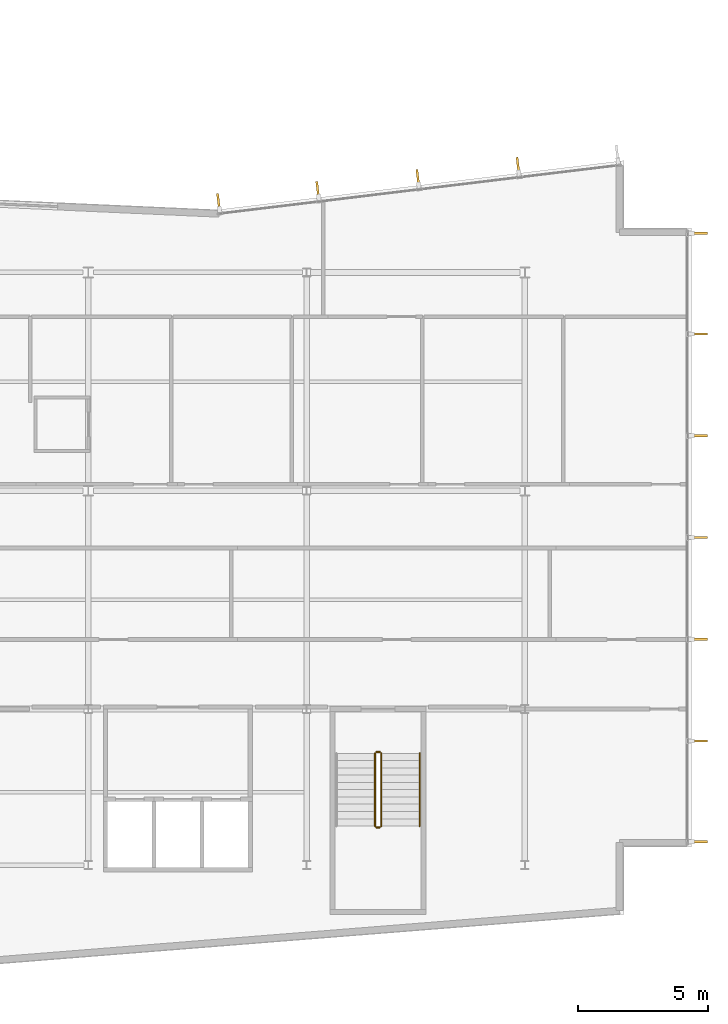
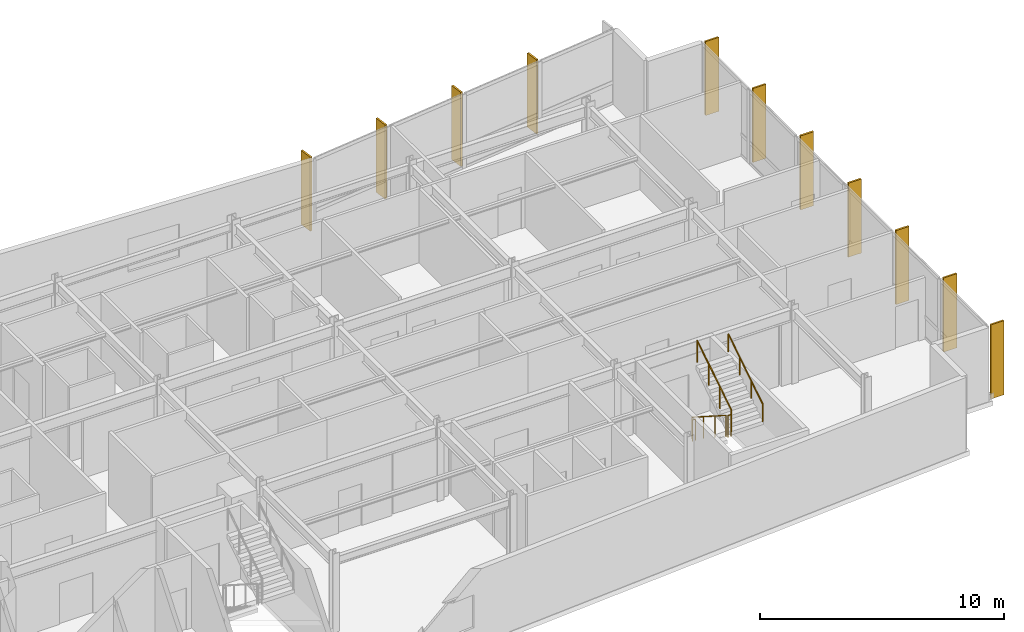
# One storey, part 17 of 19: 11 shading devices, 5 railings.
"""IFC4 building model written with IfcOpenShell, lengths in metres."""

from ifc_helpers import new_model, si_unit, direction, frame, origin, origin_2d, place, context, subcontext, project, spatial, rectangle, circle, extrude, material, layer, layer_set, type_object, element, save


model = new_model("IFC4")

# Units and contexts
model_context = context("Model", 3, precision=1e-05, world=origin(), true_north=direction((0.0, 1.0)))
body_context = subcontext(model_context, "Body", "Model", "MODEL_VIEW")
ifc_project = project(units=[si_unit("LENGTHUNIT", "METRE"), si_unit("AREAUNIT", "SQUARE_METRE"), si_unit("VOLUMEUNIT", "CUBIC_METRE"), si_unit("PLANEANGLEUNIT", "RADIAN"), si_unit("MASSUNIT", "GRAM", prefix="KILO")], contexts=[model_context])

# Site, building, storey
site_placement = place(None, origin())
site = spatial("IfcSite", under=ifc_project, at=site_placement, CompositionType="ELEMENT")
building_placement = place(site_placement, origin())
building = spatial("IfcBuilding", under=site, at=building_placement, Name="Varnakote Quay Hospital", CompositionType="ELEMENT")
storey_placement = place(building_placement, frame((0.0, 0.0, 115.199951171875)))
storey = spatial("IfcBuildingStorey", under=building, at=storey_placement, Name="L28", CompositionType="ELEMENT", Elevation=115.199951171875)

# Railings
ifc_material_1 = material(Name="Brushed stainless steel balustrade", Category="steel")
railing_type_1 = type_object("IfcRailingType", Name="RLG-STAIR-GUARD-1150", PredefinedType="GUARDRAIL", material=ifc_material_1)
railing_1_placement = place(storey_placement, frame((44.6298828125, 10.300048828125, 0.1796875)))
element("IfcRailing", 1, at=railing_1_placement, inside=storey, type_object=railing_type_1, Name="L28 ST-03 stair guard 1", PredefinedType="GUARDRAIL", context=body_context, shape_type="SweptSolid", body=[
    extrude(circle(Radius=0.02392578125, at=origin_2d()), frame((0.0, 0.0, 1.076171875), z_axis=(0.0, -0.841809871826, 0.539774156196), x_axis=(1.0, 0.0, 0.0)), (0.0, 0.0, 1.0), 3.326171875),
    extrude(circle(Radius=0.02099609375, at=origin_2d()), origin(), (0.0, 0.0, 1.0), 1.052001953125),
    extrude(circle(Radius=0.02099609375, at=origin_2d()), frame((0.0, -0.933349609375, 0.598388671875)), (0.0, 0.0, 1.0), 1.052001953125),
    extrude(circle(Radius=0.02099609375, at=origin_2d()), frame((0.0, -1.86669921875, 1.197021484375)), (0.0, 0.0, 1.0), 1.052001953125),
    extrude(circle(Radius=0.02099609375, at=origin_2d()), frame((0.0, -2.800048828125, 1.79541015625)), (0.0, 0.0, 1.0), 1.052001953125),
])
railing_2_placement = place(storey_placement, frame((44.679931640625, 7.449951171875, 1.97509765625)))
element("IfcRailing", 2, at=railing_2_placement, inside=storey, type_object=railing_type_1, Name="L28 ST-03 stair guard 2", PredefinedType="GUARDRAIL", context=body_context, shape_type="SweptSolid", body=[
    extrude(circle(Radius=0.02392578125, at=origin_2d()), frame((0.0, 0.0, 1.076171875), z_axis=(1.0, 0.0, 0.0), x_axis=(0.0, 1.0, 0.0)), (0.0, 0.0, 1.0), 0.14013671875),
    extrude(circle(Radius=0.02099609375, at=origin_2d()), origin(), (0.0, 0.0, 1.0), 1.052001953125),
    extrude(circle(Radius=0.02099609375, at=origin_2d()), frame((0.14013671875, 0.0, 0.0)), (0.0, 0.0, 1.0), 1.052001953125),
])
railing_3_placement = place(storey_placement, frame((44.8701171875, 7.5, 2.154541015625)))
element("IfcRailing", 3, at=railing_3_placement, inside=storey, type_object=railing_type_1, Name="L28 ST-03 stair guard 3", PredefinedType="GUARDRAIL", context=body_context, shape_type="SweptSolid", body=[
    extrude(circle(Radius=0.02392578125, at=origin_2d()), frame((0.0, 0.0, 1.076171875), z_axis=(0.0, 0.841809871826, 0.539774156196), x_axis=(-1.0, 0.0, 0.0)), (0.0, 0.0, 1.0), 3.326171875),
    extrude(circle(Radius=0.02099609375, at=origin_2d()), origin(), (0.0, 0.0, 1.0), 1.052001953125),
    extrude(circle(Radius=0.02099609375, at=origin_2d()), frame((0.0, 0.933349609375, 0.598388671875)), (0.0, 0.0, 1.0), 1.052001953125),
    extrude(circle(Radius=0.02099609375, at=origin_2d()), frame((0.0, 1.86669921875, 1.197021484375)), (0.0, 0.0, 1.0), 1.052001953125),
    extrude(circle(Radius=0.02099609375, at=origin_2d()), frame((0.0, 2.800048828125, 1.79541015625)), (0.0, 0.0, 1.0), 1.052001953125),
])
railing_4_placement = place(storey_placement, frame((44.679931640625, 10.35009765625, 0.0)))
element("IfcRailing", 4, at=railing_4_placement, inside=storey, type_object=railing_type_1, Name="L28 ST-03 stair guard 4", PredefinedType="GUARDRAIL", context=body_context, shape_type="SweptSolid", body=[
    extrude(circle(Radius=0.02392578125, at=origin_2d()), frame((0.0, 0.0, 1.076171875), z_axis=(1.0, 0.0, 0.0), x_axis=(0.0, 1.0, 0.0)), (0.0, 0.0, 1.0), 0.14013671875),
    extrude(circle(Radius=0.02099609375, at=origin_2d()), origin(), (0.0, 0.0, 1.0), 1.052001953125),
    extrude(circle(Radius=0.02099609375, at=origin_2d()), frame((0.14013671875, 0.0, 0.0)), (0.0, 0.0, 1.0), 1.052001953125),
])
ifc_material_2 = material(Name="Brushed stainless steel handrail", Category="steel")
railing_type_2 = type_object("IfcRailingType", Name="RLG-STAIR-HND-920", PredefinedType="HANDRAIL", material=ifc_material_2)
railing_5_placement = place(storey_placement, frame((46.35009765625, 7.5, 2.154541015625)))
element("IfcRailing", 5, at=railing_5_placement, inside=storey, type_object=railing_type_2, Name="L28 ST-03 stair handrail 2", PredefinedType="HANDRAIL", context=body_context, shape_type="SweptSolid", body=[
    extrude(circle(Radius=0.02392578125, at=origin_2d()), frame((0.0, 0.0, 0.8759765625), z_axis=(0.0, 0.841809871826, 0.539774156196), x_axis=(-1.0, 0.0, 0.0)), (0.0, 0.0, 1.0), 3.326171875),
    extrude(circle(Radius=0.02099609375, at=origin_2d()), origin(), (0.0, 0.0, 1.0), 0.851806640625),
    extrude(circle(Radius=0.02099609375, at=origin_2d()), frame((0.0, 0.933349609375, 0.598388671875)), (0.0, 0.0, 1.0), 0.851806640625),
    extrude(circle(Radius=0.02099609375, at=origin_2d()), frame((0.0, 1.86669921875, 1.197021484375)), (0.0, 0.0, 1.0), 0.851806640625),
    extrude(circle(Radius=0.02099609375, at=origin_2d()), frame((0.0, 2.800048828125, 1.79541015625)), (0.0, 0.0, 1.0), 0.851806640625),
])

# Shading devices
ifc_material_3 = material(Name="Anodised aluminium 6063-T6 Bronze", Category="aluminium")
ifc_layer = layer(ifc_material_3, 0.0849609375)
ifc_layer_set = layer_set([ifc_layer], Name="Anodised aluminium 6063-T6 Bronze")
shading_device_type = type_object("IfcShadingDeviceType", Name="SHD-BRONZE-FIN-620", PredefinedType="USERDEFINED", material=ifc_layer_set)
for number, where, z_axis, x_axis, name in (
    (6, (57.110107421875, 6.8974609375, 0.0), (0.0, 0.0, 1.0), (-1.0, 0.0, 0.0), "L28 Anodised Bronze Vertical Shading FIN"),
    (7, (57.110107421875, 10.773193359375, 0.0), (0.0, 0.0, 1.0), (-1.0, 0.0, 0.0), "L28 Anodised Bronze Vertical Shading FIN"),
    (8, (57.110107421875, 14.686767578125, 0.0), (0.0, 0.0, 1.0), (-1.0, 0.0, 0.0), "L28 Anodised Bronze Vertical Shading FIN"),
    (9, (57.110107421875, 18.60009765625, 0.0), (0.0, 0.0, 1.0), (-1.0, 0.0, 0.0), "L28 Anodised Bronze Vertical Shading FIN"),
    (10, (57.110107421875, 22.51318359375, 0.0), (0.0, 0.0, 1.0), (-1.0, 0.0, 0.0), "L28 Anodised Bronze Vertical Shading FIN"),
    (11, (57.110107421875, 26.4267578125, 0.0), (0.0, 0.0, 1.0), (-1.0, 0.0, 0.0), "L28 Anodised Bronze Vertical Shading FIN"),
    (12, (57.110107421875, 30.302490234375, 0.0), (0.0, 0.0, 1.0), (-1.0, 0.0, 0.0), "L28 Anodised Bronze Vertical Shading FIN"),
    (13, (50.131103515625, 32.9189453125, 0.0), (0.0, 0.0, 1.0), (0.120310105847, -0.992736358975, 0.0), "L28 Anodised Bronze Vertical Shading FIN"),
    (14, (46.278564453125, 32.4521484375, 0.0), (0.0, 0.0, 1.0), (0.120310105847, -0.992736358975, 0.0), "L28 Anodised Bronze Vertical Shading FIN"),
    (15, (42.426025390625, 31.985107421875, 0.0), (0.0, 0.0, 1.0), (0.120310105847, -0.992736358975, 0.0), "L28 Anodised Bronze Vertical Shading FIN"),
    (16, (38.61083984375, 31.522705078125, 0.0), (0.0, 0.0, 1.0), (0.120310105847, -0.992736358975, 0.0), "L28 Anodised Bronze Vertical Shading FIN"),
):
    element("IfcShadingDevice", number, at=place(storey_placement, frame(where, z_axis=z_axis, x_axis=x_axis)), inside=storey, type_object=shading_device_type, Name=name, ObjectType="FIN", PredefinedType="USERDEFINED", context=body_context, shape_type="SweptSolid", body=[
        extrude(rectangle(XDim=0.6201171875, YDim=0.0849609375, at=origin_2d()), origin(), (0.0, 0.0, 1.0), 3.7099609375),
    ])

save(model, "model.ifc")
